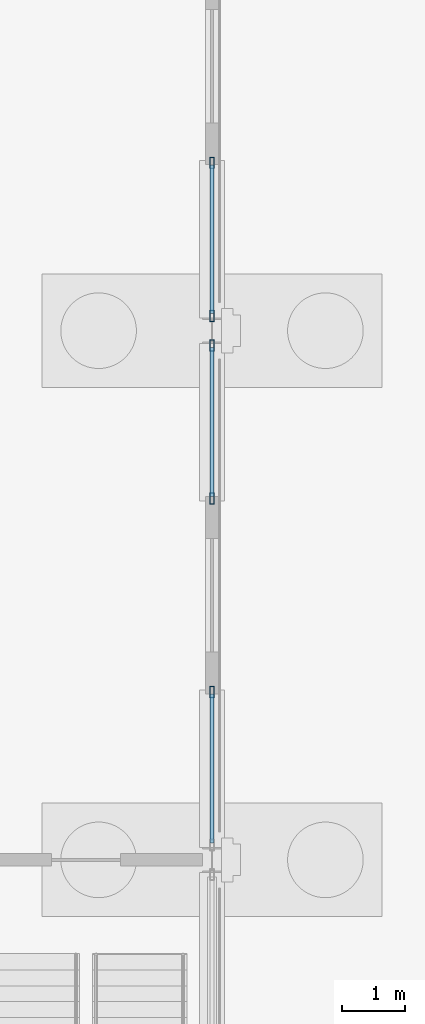
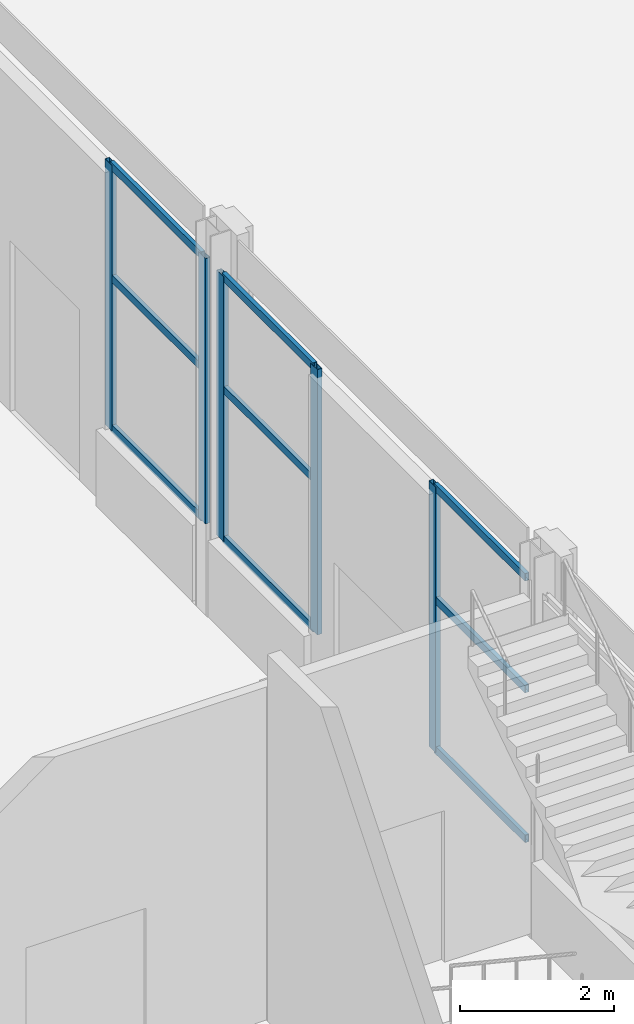
# One storey, part 157 of 212: 14 members, 3 elements without a shape of their own.
"""IFC4 building model written with IfcOpenShell, lengths in metres."""

from ifc_helpers import new_model, si_unit, direction, frame, origin, origin_2d, place, context, subcontext, project, spatial, hollow_rectangle, extrude, material, material_profile, profile_set, type_object, element, aggregate, save


model = new_model("IFC4")

# Units and contexts
model_context = context("Model", 3, precision=1e-05, world=origin(), true_north=direction((0.0, 1.0)))
body_context = subcontext(model_context, "Body", "Model", "MODEL_VIEW")
ifc_project = project(units=[si_unit("LENGTHUNIT", "METRE"), si_unit("AREAUNIT", "SQUARE_METRE"), si_unit("VOLUMEUNIT", "CUBIC_METRE"), si_unit("PLANEANGLEUNIT", "RADIAN"), si_unit("MASSUNIT", "GRAM", prefix="KILO")], contexts=[model_context])

# Site, building, storey
site_placement = place(None, origin())
site = spatial("IfcSite", under=ifc_project, at=site_placement, CompositionType="ELEMENT")
building_placement = place(site_placement, origin())
building = spatial("IfcBuilding", under=site, at=building_placement, Name="Catenary Quay Ferry Terminal", CompositionType="ELEMENT")
storey_placement = place(building_placement, origin())
storey = spatial("IfcBuildingStorey", under=building, at=storey_placement, Name="L00", CompositionType="ELEMENT", Elevation=0.0)

# Curtain wall, member
ifc_material_1 = material(Name="Aluminium and glass", Category="aluminium")
curtain_wall_type = type_object("IfcCurtainWallType", Name="CWW1", PredefinedType="NOTDEFINED", material=ifc_material_1)
curtain_wall_1_placement = place(storey_placement, origin())
curtain_wall_1 = element("IfcCurtainWall", 1, at=curtain_wall_1_placement, inside=storey, type_object=curtain_wall_type, Name="Wing curtain wall CW96", PredefinedType="NOTDEFINED")
ifc_material_2 = material(Name="Aluminium", Category="aluminium")
ifc_material_profile_1 = material_profile(ifc_material_2, hollow_rectangle(XDim=0.070068359375, YDim=0.179931640625, WallThickness=0.006103515625, at=origin_2d()), Name="MU3")
ifc_profile_set_1 = profile_set([ifc_material_profile_1], Name="Aluminium")
member_type_1 = type_object("IfcMemberType", Name="MU3", PredefinedType="MULLION", material=ifc_profile_set_1)
member_1_placement = place(storey_placement, frame((67.199951171875, 179.06494140625, 1.199951171875), z_axis=(0.0, 0.0, 1.0), x_axis=(-1.0, 0.0, 0.0)))
member_1 = element("IfcMember", 2, at=member_1_placement, type_object=member_type_1, Name="CW96 mullion 2", PredefinedType="MULLION", context=body_context, shape_type="SweptSolid", body=[
    extrude(hollow_rectangle(XDim=0.070068359375, YDim=0.179931640625, WallThickness=0.006103515625, at=origin_2d()), origin(), (0.0, 0.0, 1.0), 4.199951171875),
])

# Curtain wall, members
curtain_wall_2_placement = place(storey_placement, origin())
curtain_wall_2 = element("IfcCurtainWall", 3, at=curtain_wall_2_placement, inside=storey, type_object=curtain_wall_type, Name="Wing curtain wall CW97", PredefinedType="NOTDEFINED")
member_2_placement = place(storey_placement, frame((67.199951171875, 182.135009765625, 1.199951171875), z_axis=(0.0, 0.0, 1.0), x_axis=(-1.0, 0.0, 0.0)))
member_2 = element("IfcMember", 4, at=member_2_placement, type_object=member_type_1, Name="CW97 mullion 1", PredefinedType="MULLION", context=body_context, shape_type="SweptSolid", body=[
    extrude(hollow_rectangle(XDim=0.070068359375, YDim=0.179931640625, WallThickness=0.006103515625, at=origin_2d()), origin(), (0.0, 0.0, 1.0), 4.199951171875),
])
member_3_placement = place(storey_placement, frame((67.199951171875, 184.56494140625, 1.199951171875), z_axis=(0.0, 0.0, 1.0), x_axis=(-1.0, 0.0, 0.0)))
member_3 = element("IfcMember", 5, at=member_3_placement, type_object=member_type_1, Name="CW97 mullion 2", PredefinedType="MULLION", context=body_context, shape_type="SweptSolid", body=[
    extrude(hollow_rectangle(XDim=0.070068359375, YDim=0.179931640625, WallThickness=0.006103515625, at=origin_2d()), origin(), (0.0, 0.0, 1.0), 4.199951171875),
])

curtain_wall_3_placement = place(storey_placement, origin())
curtain_wall_3 = element("IfcCurtainWall", 6, at=curtain_wall_3_placement, inside=storey, type_object=curtain_wall_type, Name="Wing curtain wall CW98", PredefinedType="NOTDEFINED")
member_4_placement = place(storey_placement, frame((67.199951171875, 185.034912109375, 1.199951171875), z_axis=(0.0, 0.0, 1.0), x_axis=(-1.0, 0.0, 0.0)))
member_4 = element("IfcMember", 7, at=member_4_placement, type_object=member_type_1, Name="CW98 mullion 1", PredefinedType="MULLION", context=body_context, shape_type="SweptSolid", body=[
    extrude(hollow_rectangle(XDim=0.070068359375, YDim=0.179931640625, WallThickness=0.006103515625, at=origin_2d()), origin(), (0.0, 0.0, 1.0), 4.199951171875),
])
member_5_placement = place(storey_placement, frame((67.199951171875, 187.465087890625, 1.199951171875), z_axis=(0.0, 0.0, 1.0), x_axis=(-1.0, 0.0, 0.0)))
member_5 = element("IfcMember", 8, at=member_5_placement, type_object=member_type_1, Name="CW98 mullion 2", PredefinedType="MULLION", context=body_context, shape_type="SweptSolid", body=[
    extrude(hollow_rectangle(XDim=0.070068359375, YDim=0.179931640625, WallThickness=0.006103515625, at=origin_2d()), origin(), (0.0, 0.0, 1.0), 4.199951171875),
])

# Member
ifc_material_3 = material(Name="Aluminium", Category="aluminium")
ifc_material_profile_2 = material_profile(ifc_material_3, hollow_rectangle(XDim=0.06005859375, YDim=0.1201171875, WallThickness=0.0048828125, at=origin_2d()), Name="TR3")
ifc_profile_set_2 = profile_set([ifc_material_profile_2], Name="Aluminium")
member_type_2 = type_object("IfcMemberType", Name="TR3", PredefinedType="USERDEFINED", material=ifc_profile_set_2)
member_6_placement = place(storey_placement, frame((67.199951171875, 176.669921875, 1.22998046875), z_axis=(0.0, 1.0, 0.0), x_axis=(-1.0, 0.0, 0.0)))
member_6 = element("IfcMember", 9, at=member_6_placement, type_object=member_type_2, Name="CW96 transom 1.1", ObjectType="TRANSOM", PredefinedType="USERDEFINED", context=body_context, shape_type="SweptSolid", body=[
    extrude(hollow_rectangle(XDim=0.06005859375, YDim=0.1201171875, WallThickness=0.0048828125, at=origin_2d()), origin(), (0.0, 0.0, 1.0), 2.360107421875),
])

member_7_placement = place(storey_placement, frame((67.199951171875, 176.669921875, 3.60009765625), z_axis=(0.0, 1.0, 0.0), x_axis=(-1.0, 0.0, 0.0)))
member_7 = element("IfcMember", 10, at=member_7_placement, type_object=member_type_2, Name="CW96 transom 1.2", ObjectType="TRANSOM", PredefinedType="USERDEFINED", context=body_context, shape_type="SweptSolid", body=[
    extrude(hollow_rectangle(XDim=0.06005859375, YDim=0.1201171875, WallThickness=0.0048828125, at=origin_2d()), origin(), (0.0, 0.0, 1.0), 2.360107421875),
])

member_8_placement = place(storey_placement, frame((67.199951171875, 176.669921875, 5.3701171875), z_axis=(0.0, 1.0, 0.0), x_axis=(-1.0, 0.0, 0.0)))
member_8 = element("IfcMember", 11, at=member_8_placement, type_object=member_type_2, Name="CW96 transom 1.3", ObjectType="TRANSOM", PredefinedType="USERDEFINED", context=body_context, shape_type="SweptSolid", body=[
    extrude(hollow_rectangle(XDim=0.06005859375, YDim=0.1201171875, WallThickness=0.0048828125, at=origin_2d()), origin(), (0.0, 0.0, 1.0), 2.360107421875),
])

aggregate(curtain_wall_1, [member_1, member_6, member_7, member_8])

member_9_placement = place(storey_placement, frame((67.199951171875, 182.169921875, 1.22998046875), z_axis=(0.0, 1.0, 0.0), x_axis=(-1.0, 0.0, 0.0)))
member_9 = element("IfcMember", 12, at=member_9_placement, type_object=member_type_2, Name="CW97 transom 1.1", ObjectType="TRANSOM", PredefinedType="USERDEFINED", context=body_context, shape_type="SweptSolid", body=[
    extrude(hollow_rectangle(XDim=0.06005859375, YDim=0.1201171875, WallThickness=0.0048828125, at=origin_2d()), origin(), (0.0, 0.0, 1.0), 2.360107421875),
])

member_10_placement = place(storey_placement, frame((67.199951171875, 182.169921875, 3.60009765625), z_axis=(0.0, 1.0, 0.0), x_axis=(-1.0, 0.0, 0.0)))
member_10 = element("IfcMember", 13, at=member_10_placement, type_object=member_type_2, Name="CW97 transom 1.2", ObjectType="TRANSOM", PredefinedType="USERDEFINED", context=body_context, shape_type="SweptSolid", body=[
    extrude(hollow_rectangle(XDim=0.06005859375, YDim=0.1201171875, WallThickness=0.0048828125, at=origin_2d()), origin(), (0.0, 0.0, 1.0), 2.360107421875),
])

member_11_placement = place(storey_placement, frame((67.199951171875, 182.169921875, 5.3701171875), z_axis=(0.0, 1.0, 0.0), x_axis=(-1.0, 0.0, 0.0)))
member_11 = element("IfcMember", 14, at=member_11_placement, type_object=member_type_2, Name="CW97 transom 1.3", ObjectType="TRANSOM", PredefinedType="USERDEFINED", context=body_context, shape_type="SweptSolid", body=[
    extrude(hollow_rectangle(XDim=0.06005859375, YDim=0.1201171875, WallThickness=0.0048828125, at=origin_2d()), origin(), (0.0, 0.0, 1.0), 2.360107421875),
])

aggregate(curtain_wall_2, [member_2, member_3, member_9, member_10, member_11])

member_12_placement = place(storey_placement, frame((67.199951171875, 185.070068359375, 1.22998046875), z_axis=(0.0, 1.0, 0.0), x_axis=(-1.0, 0.0, 0.0)))
member_12 = element("IfcMember", 15, at=member_12_placement, type_object=member_type_2, Name="CW98 transom 1.1", ObjectType="TRANSOM", PredefinedType="USERDEFINED", context=body_context, shape_type="SweptSolid", body=[
    extrude(hollow_rectangle(XDim=0.06005859375, YDim=0.1201171875, WallThickness=0.0048828125, at=origin_2d()), origin(), (0.0, 0.0, 1.0), 2.35986328125),
])

member_13_placement = place(storey_placement, frame((67.199951171875, 185.070068359375, 3.60009765625), z_axis=(0.0, 1.0, 0.0), x_axis=(-1.0, 0.0, 0.0)))
member_13 = element("IfcMember", 16, at=member_13_placement, type_object=member_type_2, Name="CW98 transom 1.2", ObjectType="TRANSOM", PredefinedType="USERDEFINED", context=body_context, shape_type="SweptSolid", body=[
    extrude(hollow_rectangle(XDim=0.06005859375, YDim=0.1201171875, WallThickness=0.0048828125, at=origin_2d()), origin(), (0.0, 0.0, 1.0), 2.35986328125),
])

member_14_placement = place(storey_placement, frame((67.199951171875, 185.070068359375, 5.3701171875), z_axis=(0.0, 1.0, 0.0), x_axis=(-1.0, 0.0, 0.0)))
member_14 = element("IfcMember", 17, at=member_14_placement, type_object=member_type_2, Name="CW98 transom 1.3", ObjectType="TRANSOM", PredefinedType="USERDEFINED", context=body_context, shape_type="SweptSolid", body=[
    extrude(hollow_rectangle(XDim=0.06005859375, YDim=0.1201171875, WallThickness=0.0048828125, at=origin_2d()), origin(), (0.0, 0.0, 1.0), 2.35986328125),
])

aggregate(curtain_wall_3, [member_4, member_5, member_12, member_13, member_14])

save(model, "model.ifc")
